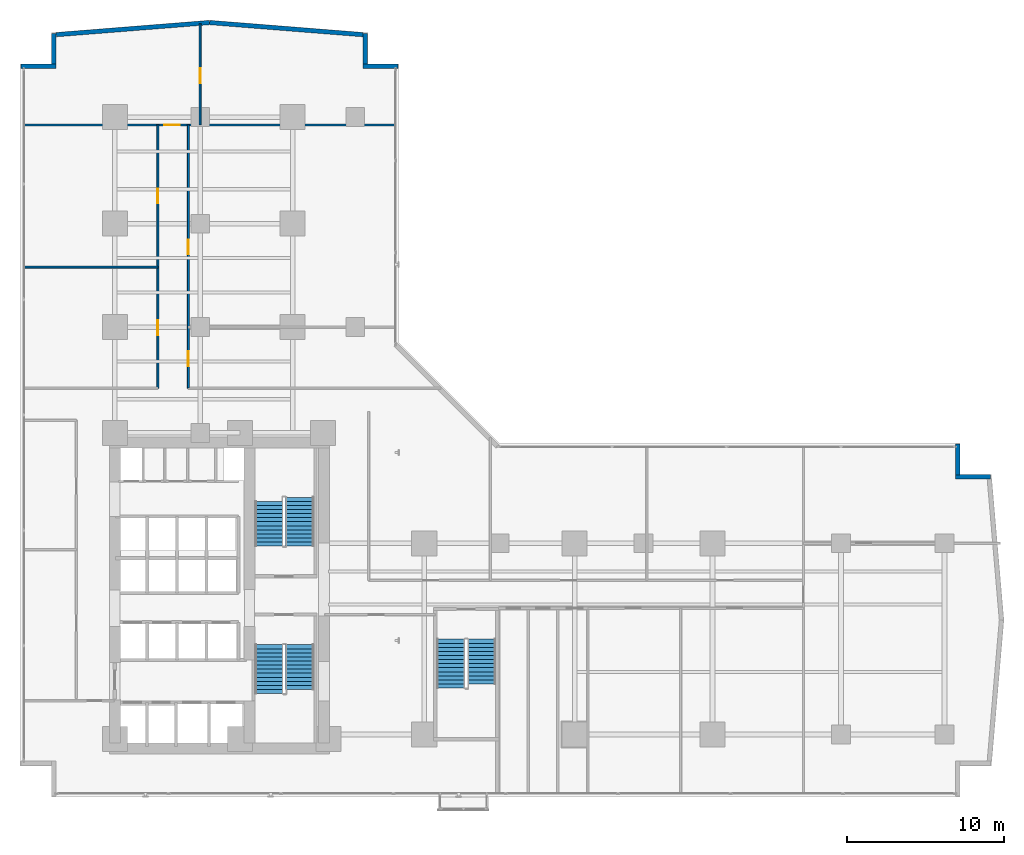
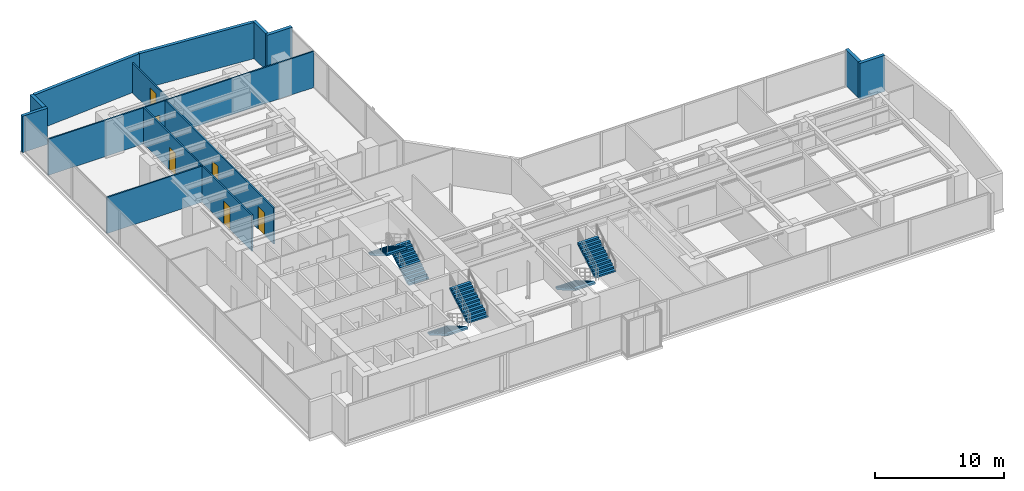
# One storey, part 24 of 28: 13 walls, 6 doors, 6 stair flights, 6 openings, 3 elements without a shape of their own.
"""IFC4 building model written with IfcOpenShell, lengths in metres."""

from ifc_helpers import new_model, si_unit, direction, frame, frame_2d, origin, place, context, subcontext, project, spatial, polyline, rectangle, outline, extrude, material, layer, layer_set, type_object, element, fill, aggregate, save


model = new_model("IFC4")

# Units and contexts
model_context = context("Model", 3, precision=1e-05, world=origin(), true_north=direction((0.0, 1.0)))
body_context = subcontext(model_context, "Body", "Model", "MODEL_VIEW")
ifc_project = project(units=[si_unit("LENGTHUNIT", "METRE"), si_unit("AREAUNIT", "SQUARE_METRE"), si_unit("VOLUMEUNIT", "CUBIC_METRE"), si_unit("PLANEANGLEUNIT", "RADIAN"), si_unit("MASSUNIT", "GRAM", prefix="KILO")], contexts=[model_context])

# Site, building, storey
site_placement = place(None, origin())
site = spatial("IfcSite", under=ifc_project, at=site_placement, CompositionType="ELEMENT")
building_placement = place(site_placement, origin())
building = spatial("IfcBuilding", under=site, at=building_placement, Name="Kolvaren Waterfront Exchange", CompositionType="ELEMENT")
storey_placement = place(building_placement, frame((0.0, 0.0, 79.0)))
storey = spatial("IfcBuildingStorey", under=building, at=storey_placement, Name="L20", CompositionType="ELEMENT", Elevation=79.0)

# Walls
ifc_material_1 = material(Name="Precast concrete C40/50", Category="concrete")
ifc_layer_1 = layer(ifc_material_1, 0.280029296875, Name="Precast concrete C40/50")
ifc_layer_set_1 = layer_set([ifc_layer_1], Name="Precast concrete C40/50")
wall_type_1 = type_object("IfcWallType", Name="ARC-EXT-TERR-280", PredefinedType="SOLIDWALL", material=ifc_layer_set_1)
wall_1_placement = place(storey_placement, frame((61.239990234375, 21.764892578125, 0.0), z_axis=(0.0, 0.0, 1.0), x_axis=(0.0, 1.0, 0.0)))
element("IfcWall", 1, at=wall_1_placement, inside=storey, type_object=wall_type_1, Name="L20 notched corner spandrel pier ENE-A", PredefinedType="SOLIDWALL", context=body_context, shape_type="SweptSolid", body=[
    extrude(rectangle(XDim=1.97509765625, YDim=0.280029296875, at=frame_2d((0.987548828125, 0.0))), origin(), (0.0, 0.0, 1.0), 3.419921875),
])
for number, where, z_axis, x_axis, name in (
    (2, (61.10009765625, 21.639892578125, 0.0), (0.0, 0.0, 1.0), (1.0, 0.0, 0.0), "L20 notched corner spandrel pier ENE-B"),
    (3, (23.300048828125, 47.840087890625, 0.0), (0.0, 0.0, 1.0), (1.0, 0.0, 0.0), "L20 notched corner spandrel pier NNE-A"),
):
    element("IfcWall", number, at=place(storey_placement, frame(where, z_axis=z_axis, x_axis=x_axis)), inside=storey, type_object=wall_type_1, Name=name, PredefinedType="SOLIDWALL", context=body_context, shape_type="SweptSolid", body=[
        extrude(rectangle(XDim=2.239990234375, YDim=0.280029296875, at=frame_2d((1.1201171875, 0.0))), origin(), (0.0, 0.0, 1.0), 3.419921875),
    ])
wall_2_placement = place(storey_placement, frame((23.43994140625, 47.97998046875, 0.0), z_axis=(0.0, 0.0, 1.0), x_axis=(0.0, 1.0, 0.0)))
element("IfcWall", 4, at=wall_2_placement, inside=storey, type_object=wall_type_1, Name="L20 notched corner spandrel pier NNE-B", PredefinedType="SOLIDWALL", context=body_context, shape_type="SweptSolid", body=[
    extrude(rectangle(XDim=1.9599609375, YDim=0.280029296875, at=frame_2d((0.97998046875, 0.0))), origin(), (0.0, 0.0, 1.0), 3.419921875),
])
wall_3_placement = place(storey_placement, frame((1.4599609375, 47.840087890625, 0.0), z_axis=(0.0, 0.0, 1.0), x_axis=(1.0, 0.0, 0.0)))
element("IfcWall", 5, at=wall_3_placement, inside=storey, type_object=wall_type_1, Name="L20 notched corner spandrel pier NW-A", PredefinedType="SOLIDWALL", context=body_context, shape_type="SweptSolid", body=[
    extrude(rectangle(XDim=2.239990234375, YDim=0.280029296875, at=frame_2d((1.1201171875, 0.0))), origin(), (0.0, 0.0, 1.0), 3.419921875),
])
wall_4_placement = place(storey_placement, frame((3.56005859375, 47.97998046875, 0.0), z_axis=(0.0, 0.0, 1.0), x_axis=(0.0, 1.0, 0.0)))
element("IfcWall", 6, at=wall_4_placement, inside=storey, type_object=wall_type_1, Name="L20 notched corner spandrel pier NW-B", PredefinedType="SOLIDWALL", context=body_context, shape_type="SweptSolid", body=[
    extrude(rectangle(XDim=1.9599609375, YDim=0.280029296875, at=frame_2d((0.97998046875, 0.0))), origin(), (0.0, 0.0, 1.0), 3.419921875),
])
for number, where, z_axis, x_axis, name in (
    (7, (23.288330078125, 49.8642578125, 0.0), (0.0, 0.0, 1.0), (-0.996878337682, 0.078953023125, 0.0), "L20 north prow faceted facade wall 1"),
    (8, (13.49267578125, 50.638916015625, 0.0), (0.0, 0.0, 1.0), (-0.996878337682, -0.078953023125, 0.0), "L20 north prow faceted facade wall 2"),
):
    element("IfcWall", number, at=place(storey_placement, frame(where, z_axis=z_axis, x_axis=x_axis)), inside=storey, type_object=wall_type_1, Name=name, PredefinedType="SOLIDWALL", context=body_context, shape_type="SweptSolid", body=[
        extrude(rectangle(XDim=9.8115234375, YDim=0.280029296875, at=frame_2d((4.90576171875, 0.0))), origin(), (0.0, 0.0, 1.0), 3.419921875),
    ])

# Wall, openings, doors
ifc_material_2 = material(Name="Acoustic gypsum steel stud", Category="steel")
ifc_layer_2 = layer(ifc_material_2, 0.125, Name="Acoustic gypsum steel stud")
ifc_layer_set_2 = layer_set([ifc_layer_2], Name="Acoustic gypsum steel stud")
wall_type_2 = type_object("IfcWallType", Name="ARC-PART-125", PredefinedType="PARTITIONING", material=ifc_layer_set_2)
wall_5_placement = place(storey_placement, frame((10.199951171875, 27.300048828125, 0.0), z_axis=(0.0, 0.0, 1.0), x_axis=(0.0, 1.0, 0.0)))
wall_5 = element("IfcWall", 9, at=wall_5_placement, inside=storey, type_object=wall_type_2, Name="L20 interior wall PW-L20-NW-CORR", PredefinedType="PARTITIONING", context=body_context, shape_type="SweptSolid", body=[
    extrude(rectangle(XDim=16.800048828125, YDim=0.125, at=frame_2d((8.39990234375, 0.0))), origin(), (0.0, 0.0, 1.0), 3.419921875),
])
opening_1_placement = place(wall_5_placement, frame((3.389892578125, 0.0, 0.0)))
opening_1 = element("IfcOpeningElement", 10, at=opening_1_placement, cuts=wall_5, Name="Opening D02", PredefinedType="OPENING", context=body_context, shape_type="SweptSolid", body=[
    extrude(rectangle(XDim=0.949951171875, YDim=2.14990234375, at=frame_2d((0.47509765625, 1.074951171875))), frame((0.0, 0.072509765625, 0.0), z_axis=(0.0, -1.0, 0.0), x_axis=(1.0, 0.0, 0.0)), (0.0, 0.0, 1.0), 0.14501953125),
])
opening_2_placement = place(wall_5_placement, frame((11.7900390625, 0.0, 0.0)))
opening_2 = element("IfcOpeningElement", 11, at=opening_2_placement, cuts=wall_5, Name="Opening D02", PredefinedType="OPENING", context=body_context, shape_type="SweptSolid", body=[
    extrude(rectangle(XDim=0.949951171875, YDim=2.14990234375, at=frame_2d((0.47509765625, 1.074951171875))), frame((0.0, 0.072509765625, 0.0), z_axis=(0.0, -1.0, 0.0), x_axis=(1.0, 0.0, 0.0)), (0.0, 0.0, 1.0), 0.14501953125),
])
ifc_material_3 = material(Name="Oak veneer acoustic timber", Category="wood")
door_type_1 = type_object("IfcDoorType", Name="ARC-DR-950", OperationType="NOTDEFINED", PredefinedType="DOOR", material=ifc_material_3)
door_1_placement = place(opening_1_placement, origin())
door_1 = element("IfcDoor", 12, at=door_1_placement, inside=storey, type_object=door_type_1, Name="L20 door DR-L20-NW-D-1 (D02)", OperationType="SINGLE_SWING_LEFT", OverallHeight=2.14990234375, OverallWidth=0.949951171875, PredefinedType="DOOR", context=body_context, shape_type="SweptSolid", body=[
    extrude(rectangle(XDim=0.949951171875, YDim=2.14990234375, at=frame_2d((0.47509765625, 1.074951171875))), frame((0.0, 0.02490234375, 0.0), z_axis=(0.0, -1.0, 0.0), x_axis=(1.0, 0.0, 0.0)), (0.0, 0.0, 1.0), 0.050048828125),
])
fill(opening_1, door_1)
door_2_placement = place(opening_2_placement, origin())
door_2 = element("IfcDoor", 13, at=door_2_placement, inside=storey, type_object=door_type_1, Name="L20 door DR-L20-NW-D-2 (D02)", OperationType="SINGLE_SWING_RIGHT", OverallHeight=2.14990234375, OverallWidth=0.949951171875, PredefinedType="DOOR", context=body_context, shape_type="SweptSolid", body=[
    extrude(rectangle(XDim=0.949951171875, YDim=2.14990234375, at=frame_2d((0.47509765625, 1.074951171875))), frame((0.0, 0.02490234375, 0.0), z_axis=(0.0, -1.0, 0.0), x_axis=(1.0, 0.0, 0.0)), (0.0, 0.0, 1.0), 0.050048828125),
])
fill(opening_2, door_2)

# Wall
wall_6_placement = place(storey_placement, frame((1.639892578125, 35.030029296875, 0.0), z_axis=(0.0, 0.0, 1.0), x_axis=(1.0, 0.0, 0.0)))
element("IfcWall", 14, at=wall_6_placement, inside=storey, type_object=wall_type_2, Name="L20 interior wall PW-L20-NW-DIV-1", PredefinedType="PARTITIONING", context=body_context, shape_type="SweptSolid", body=[
    extrude(rectangle(XDim=8.56005859375, YDim=0.125, at=frame_2d((4.280029296875, 0.0))), origin(), (0.0, 0.0, 1.0), 3.419921875),
])

# Wall, opening, door
wall_7_placement = place(storey_placement, frame((1.639892578125, 44.10009765625, 0.0), z_axis=(0.0, 0.0, 1.0), x_axis=(1.0, 0.0, 0.0)))
wall_7 = element("IfcWall", 15, at=wall_7_placement, inside=storey, type_object=wall_type_2, Name="L20 interior wall PW-L20-NTIP-S", PredefinedType="PARTITIONING", context=body_context, shape_type="SweptSolid", body=[
    extrude(rectangle(XDim=23.72021484375, YDim=0.125, at=frame_2d((11.860107421875, 0.0))), origin(), (0.0, 0.0, 1.0), 3.419921875),
])
opening_3_placement = place(wall_7_placement, frame((8.9599609375, 0.0, 0.0)))
opening_3 = element("IfcOpeningElement", 16, at=opening_3_placement, cuts=wall_7, Name="Opening D03", PredefinedType="OPENING", context=body_context, shape_type="SweptSolid", body=[
    extrude(rectangle(XDim=1.0, YDim=2.199951171875, at=frame_2d((0.5, 1.10009765625))), frame((0.0, 0.072509765625, 0.0), z_axis=(0.0, -1.0, 0.0), x_axis=(1.0, 0.0, 0.0)), (0.0, 0.0, 1.0), 0.14501953125),
])
ifc_material_4 = material(Name="Oak veneer accessible timber", Category="wood")
door_type_2 = type_object("IfcDoorType", Name="ARC-DR-1000", OperationType="NOTDEFINED", PredefinedType="DOOR", material=ifc_material_4)
door_3_placement = place(opening_3_placement, origin())
door_3 = element("IfcDoor", 17, at=door_3_placement, inside=storey, type_object=door_type_2, Name="L20 door DR-L20-NTIPW-D (D03)", OperationType="SINGLE_SWING_LEFT", OverallHeight=2.199951171875, OverallWidth=1.0, PredefinedType="DOOR", context=body_context, shape_type="SweptSolid", body=[
    extrude(rectangle(XDim=1.0, YDim=2.199951171875, at=frame_2d((0.5, 1.10009765625))), frame((0.0, 0.02490234375, 0.0), z_axis=(0.0, -1.0, 0.0), x_axis=(1.0, 0.0, 0.0)), (0.0, 0.0, 1.0), 0.050048828125),
])
fill(opening_3, door_3)

wall_8_placement = place(storey_placement, frame((12.89990234375, 44.10009765625, 0.0), z_axis=(0.0, 0.0, 1.0), x_axis=(0.0, 1.0, 0.0)))
wall_8 = element("IfcWall", 18, at=wall_8_placement, inside=storey, type_object=wall_type_2, Name="L20 interior wall PW-L20-NTIP-DIV", PredefinedType="PARTITIONING", context=body_context, shape_type="SweptSolid", body=[
    extrude(rectangle(XDim=6.4599609375, YDim=0.125, at=frame_2d((3.22998046875, 0.0))), origin(), (0.0, 0.0, 1.0), 2.820068359375),
])
opening_4_placement = place(wall_8_placement, frame((2.677490234375, 0.0, 0.0)))
opening_4 = element("IfcOpeningElement", 19, at=opening_4_placement, cuts=wall_8, Name="Opening D02", PredefinedType="OPENING", context=body_context, shape_type="SweptSolid", body=[
    extrude(rectangle(XDim=0.949951171875, YDim=2.14990234375, at=frame_2d((0.47509765625, 1.074951171875))), frame((0.0, 0.072509765625, 0.0), z_axis=(0.0, -1.0, 0.0), x_axis=(1.0, 0.0, 0.0)), (0.0, 0.0, 1.0), 0.14501953125),
])
door_4_placement = place(opening_4_placement, origin())
door_4 = element("IfcDoor", 20, at=door_4_placement, inside=storey, type_object=door_type_1, Name="L20 door DR-L20-NTIPE-D (D02)", OperationType="SINGLE_SWING_RIGHT", OverallHeight=2.14990234375, OverallWidth=0.949951171875, PredefinedType="DOOR", context=body_context, shape_type="SweptSolid", body=[
    extrude(rectangle(XDim=0.949951171875, YDim=2.14990234375, at=frame_2d((0.47509765625, 1.074951171875))), frame((0.0, 0.02490234375, 0.0), z_axis=(0.0, -1.0, 0.0), x_axis=(1.0, 0.0, 0.0)), (0.0, 0.0, 1.0), 0.050048828125),
])
fill(opening_4, door_4)

# Wall, openings, doors
wall_9_placement = place(storey_placement, frame((12.139892578125, 27.300048828125, 0.0), z_axis=(0.0, 0.0, 1.0), x_axis=(0.0, 1.0, 0.0)))
wall_9 = element("IfcWall", 21, at=wall_9_placement, inside=storey, type_object=wall_type_2, Name="L20 interior wall PW-L20-NE-CORR", PredefinedType="PARTITIONING", context=body_context, shape_type="SweptSolid", body=[
    extrude(rectangle(XDim=16.800048828125, YDim=0.125, at=frame_2d((8.39990234375, 0.0))), origin(), (0.0, 0.0, 1.0), 3.419921875),
])
opening_5_placement = place(wall_9_placement, frame((1.4033203125, 0.0, 0.0)))
opening_5 = element("IfcOpeningElement", 22, at=opening_5_placement, cuts=wall_9, Name="Opening D02", PredefinedType="OPENING", context=body_context, shape_type="SweptSolid", body=[
    extrude(rectangle(XDim=0.949951171875, YDim=2.14990234375, at=frame_2d((0.47509765625, 1.074951171875))), frame((0.0, 0.072509765625, 0.0), z_axis=(0.0, -1.0, 0.0), x_axis=(1.0, 0.0, 0.0)), (0.0, 0.0, 1.0), 0.14501953125),
])
opening_6_placement = place(wall_9_placement, frame((8.5341796875, 0.0, 0.0)))
opening_6 = element("IfcOpeningElement", 23, at=opening_6_placement, cuts=wall_9, Name="Opening D02", PredefinedType="OPENING", context=body_context, shape_type="SweptSolid", body=[
    extrude(rectangle(XDim=0.949951171875, YDim=2.14990234375, at=frame_2d((0.47509765625, 1.074951171875))), frame((0.0, 0.072509765625, 0.0), z_axis=(0.0, -1.0, 0.0), x_axis=(1.0, 0.0, 0.0)), (0.0, 0.0, 1.0), 0.14501953125),
])
door_5_placement = place(opening_5_placement, origin())
door_5 = element("IfcDoor", 24, at=door_5_placement, inside=storey, type_object=door_type_1, Name="L20 door DR-L20-NE-D-1 (D02)", OperationType="SINGLE_SWING_LEFT", OverallHeight=2.14990234375, OverallWidth=0.949951171875, PredefinedType="DOOR", context=body_context, shape_type="SweptSolid", body=[
    extrude(rectangle(XDim=0.949951171875, YDim=2.14990234375, at=frame_2d((0.47509765625, 1.074951171875))), frame((0.0, 0.02490234375, 0.0), z_axis=(0.0, -1.0, 0.0), x_axis=(1.0, 0.0, 0.0)), (0.0, 0.0, 1.0), 0.050048828125),
])
fill(opening_5, door_5)
door_6_placement = place(opening_6_placement, origin())
door_6 = element("IfcDoor", 25, at=door_6_placement, inside=storey, type_object=door_type_1, Name="L20 door DR-L20-NE-D-2 (D02)", OperationType="SINGLE_SWING_RIGHT", OverallHeight=2.14990234375, OverallWidth=0.949951171875, PredefinedType="DOOR", context=body_context, shape_type="SweptSolid", body=[
    extrude(rectangle(XDim=0.949951171875, YDim=2.14990234375, at=frame_2d((0.47509765625, 1.074951171875))), frame((0.0, 0.02490234375, 0.0), z_axis=(0.0, -1.0, 0.0), x_axis=(1.0, 0.0, 0.0)), (0.0, 0.0, 1.0), 0.050048828125),
])
fill(opening_6, door_6)

# Stair, stair flights
ifc_material_5 = material(Name="Concrete C40/50", Category="concrete")
stair_type = type_object("IfcStairType", Name="ARC-STAIR-3800", PredefinedType="HALF_TURN_STAIR", material=ifc_material_5)
stair_1_placement = place(storey_placement, origin())
stair_1 = element("IfcStair", 26, at=stair_1_placement, inside=storey, type_object=stair_type, Name="L20 Smoke-proof exit stair ST1", PredefinedType="HALF_TURN_STAIR")
stair_flight_type = type_object("IfcStairFlightType", Name="ARC-FLIGHT-3800", PredefinedType="STRAIGHT", material=ifc_material_5)
stair_flight_1_placement = place(storey_placement, frame((17.300048828125, 10.929931640625, 0.0), z_axis=(0.0, 0.0, 1.0), x_axis=(0.0, -1.0, 0.0)))
stair_flight_1 = element("IfcStairFlight", 27, at=stair_flight_1_placement, type_object=stair_flight_type, Name="ST1 flight 1", NumberOfRisers=13, NumberOfTreads=12, PredefinedType="STRAIGHT", RiserHeight=0.152, TreadLength=0.26, context=body_context, shape_type="SweptSolid", body=[
    extrude(outline(polyline([(0.0, 0.0), (0.0, 0.152099609375), (0.260009765625, 0.152099609375), (0.260009765625, 0.303955078125), (0.52001953125, 0.303955078125), (0.52001953125, 0.4560546875), (0.780029296875, 0.4560546875), (0.780029296875, 0.60791015625), (1.0400390625, 0.60791015625), (1.0400390625, 0.760009765625), (1.300048828125, 0.760009765625), (1.300048828125, 0.912109375), (1.56005859375, 0.912109375), (1.56005859375, 1.06396484375), (1.820068359375, 1.06396484375), (1.820068359375, 1.216064453125), (2.080078125, 1.216064453125), (2.080078125, 1.367919921875), (2.340087890625, 1.367919921875), (2.340087890625, 1.52001953125), (2.60009765625, 1.52001953125), (2.60009765625, 1.672119140625), (2.860107421875, 1.672119140625), (2.860107421875, 1.823974609375), (3.1201171875, 1.823974609375), (3.1201171875, 1.97607421875), (3.1201171875, 1.650390625), (0.297119140625, 0.0), (0.0, 0.0)])), frame((0.0, 0.89990234375, 0.0), z_axis=(0.0, -1.0, 0.0), x_axis=(1.0, 0.0, 0.0)), (0.0, 0.0, 1.0), 1.800048828125),
])
stair_flight_2_placement = place(storey_placement, frame((19.260009765625, 8.070068359375, 1.97607421875), z_axis=(0.0, 0.0, 1.0), x_axis=(0.0, 1.0, 0.0)))
stair_flight_2 = element("IfcStairFlight", 28, at=stair_flight_2_placement, type_object=stair_flight_type, Name="ST1 flight 2", NumberOfRisers=12, NumberOfTreads=11, PredefinedType="STRAIGHT", RiserHeight=0.152, TreadLength=0.26, context=body_context, shape_type="SweptSolid", body=[
    extrude(outline(polyline([(0.0, 0.0), (0.0, 0.152099609375), (0.260009765625, 0.152099609375), (0.260009765625, 0.303955078125), (0.52001953125, 0.303955078125), (0.52001953125, 0.4560546875), (0.780029296875, 0.4560546875), (0.780029296875, 0.60791015625), (1.0400390625, 0.60791015625), (1.0400390625, 0.760009765625), (1.300048828125, 0.760009765625), (1.300048828125, 0.912109375), (1.56005859375, 0.912109375), (1.56005859375, 1.06396484375), (1.820068359375, 1.06396484375), (1.820068359375, 1.216064453125), (2.080078125, 1.216064453125), (2.080078125, 1.367919921875), (2.340087890625, 1.367919921875), (2.340087890625, 1.52001953125), (2.60009765625, 1.52001953125), (2.60009765625, 1.672119140625), (2.860107421875, 1.672119140625), (2.860107421875, 1.823974609375), (2.860107421875, 1.498291015625), (0.297119140625, 0.0), (0.0, 0.0)])), frame((0.0, 0.89990234375, 0.0), z_axis=(0.0, -1.0, 0.0), x_axis=(1.0, 0.0, 0.0)), (0.0, 0.0, 1.0), 1.800048828125),
])
aggregate(stair_1, [stair_flight_1, stair_flight_2])

stair_2_placement = place(storey_placement, origin())
stair_2 = element("IfcStair", 29, at=stair_2_placement, inside=storey, type_object=stair_type, Name="L20 Smoke-proof exit stair ST2", PredefinedType="HALF_TURN_STAIR")
stair_flight_3_placement = place(storey_placement, frame((19.260009765625, 17.219970703125, 0.0), z_axis=(0.0, 0.0, 1.0), x_axis=(0.0, 1.0, 0.0)))
stair_flight_3 = element("IfcStairFlight", 30, at=stair_flight_3_placement, type_object=stair_flight_type, Name="ST2 flight 1", NumberOfRisers=13, NumberOfTreads=12, PredefinedType="STRAIGHT", RiserHeight=0.152, TreadLength=0.26, context=body_context, shape_type="SweptSolid", body=[
    extrude(outline(polyline([(0.0, 0.0), (0.0, 0.152099609375), (0.260009765625, 0.152099609375), (0.260009765625, 0.303955078125), (0.52001953125, 0.303955078125), (0.52001953125, 0.4560546875), (0.780029296875, 0.4560546875), (0.780029296875, 0.60791015625), (1.0400390625, 0.60791015625), (1.0400390625, 0.760009765625), (1.300048828125, 0.760009765625), (1.300048828125, 0.912109375), (1.56005859375, 0.912109375), (1.56005859375, 1.06396484375), (1.820068359375, 1.06396484375), (1.820068359375, 1.216064453125), (2.080078125, 1.216064453125), (2.080078125, 1.367919921875), (2.340087890625, 1.367919921875), (2.340087890625, 1.52001953125), (2.60009765625, 1.52001953125), (2.60009765625, 1.672119140625), (2.860107421875, 1.672119140625), (2.860107421875, 1.823974609375), (3.1201171875, 1.823974609375), (3.1201171875, 1.97607421875), (3.1201171875, 1.650390625), (0.297119140625, 0.0), (0.0, 0.0)])), frame((0.0, 0.89990234375, 0.0), z_axis=(0.0, -1.0, 0.0), x_axis=(1.0, 0.0, 0.0)), (0.0, 0.0, 1.0), 1.800048828125),
])
stair_flight_4_placement = place(storey_placement, frame((17.300048828125, 20.080078125, 1.97607421875), z_axis=(0.0, 0.0, 1.0), x_axis=(0.0, -1.0, 0.0)))
stair_flight_4 = element("IfcStairFlight", 31, at=stair_flight_4_placement, type_object=stair_flight_type, Name="ST2 flight 2", NumberOfRisers=12, NumberOfTreads=11, PredefinedType="STRAIGHT", RiserHeight=0.152, TreadLength=0.26, context=body_context, shape_type="SweptSolid", body=[
    extrude(outline(polyline([(0.0, 0.0), (0.0, 0.152099609375), (0.260009765625, 0.152099609375), (0.260009765625, 0.303955078125), (0.52001953125, 0.303955078125), (0.52001953125, 0.4560546875), (0.780029296875, 0.4560546875), (0.780029296875, 0.60791015625), (1.0400390625, 0.60791015625), (1.0400390625, 0.760009765625), (1.300048828125, 0.760009765625), (1.300048828125, 0.912109375), (1.56005859375, 0.912109375), (1.56005859375, 1.06396484375), (1.820068359375, 1.06396484375), (1.820068359375, 1.216064453125), (2.080078125, 1.216064453125), (2.080078125, 1.367919921875), (2.340087890625, 1.367919921875), (2.340087890625, 1.52001953125), (2.60009765625, 1.52001953125), (2.60009765625, 1.672119140625), (2.860107421875, 1.672119140625), (2.860107421875, 1.823974609375), (2.860107421875, 1.498291015625), (0.297119140625, 0.0), (0.0, 0.0)])), frame((0.0, 0.89990234375, 0.0), z_axis=(0.0, -1.0, 0.0), x_axis=(1.0, 0.0, 0.0)), (0.0, 0.0, 1.0), 1.800048828125),
])
aggregate(stair_2, [stair_flight_3, stair_flight_4])

stair_3_placement = place(storey_placement, origin())
stair_3 = element("IfcStair", 32, at=stair_3_placement, inside=storey, type_object=stair_type, Name="L20 Exit stair ST3", PredefinedType="HALF_TURN_STAIR")
stair_flight_5_placement = place(storey_placement, frame((28.89990234375, 11.280029296875, 0.0), z_axis=(0.0, 0.0, 1.0), x_axis=(0.0, -1.0, 0.0)))
stair_flight_5 = element("IfcStairFlight", 33, at=stair_flight_5_placement, type_object=stair_flight_type, Name="ST3 flight 1", NumberOfRisers=13, NumberOfTreads=12, PredefinedType="STRAIGHT", RiserHeight=0.152, TreadLength=0.26, context=body_context, shape_type="SweptSolid", body=[
    extrude(outline(polyline([(0.0, 0.0), (0.0, 0.152099609375), (0.260009765625, 0.152099609375), (0.260009765625, 0.303955078125), (0.52001953125, 0.303955078125), (0.52001953125, 0.4560546875), (0.780029296875, 0.4560546875), (0.780029296875, 0.60791015625), (1.0400390625, 0.60791015625), (1.0400390625, 0.760009765625), (1.300048828125, 0.760009765625), (1.300048828125, 0.912109375), (1.56005859375, 0.912109375), (1.56005859375, 1.06396484375), (1.820068359375, 1.06396484375), (1.820068359375, 1.216064453125), (2.080078125, 1.216064453125), (2.080078125, 1.367919921875), (2.340087890625, 1.367919921875), (2.340087890625, 1.52001953125), (2.60009765625, 1.52001953125), (2.60009765625, 1.672119140625), (2.860107421875, 1.672119140625), (2.860107421875, 1.823974609375), (3.1201171875, 1.823974609375), (3.1201171875, 1.97607421875), (3.1201171875, 1.650390625), (0.297119140625, 0.0), (0.0, 0.0)])), frame((0.0, 0.89990234375, 0.0), z_axis=(0.0, -1.0, 0.0), x_axis=(1.0, 0.0, 0.0)), (0.0, 0.0, 1.0), 1.800048828125),
])
stair_flight_6_placement = place(storey_placement, frame((30.860107421875, 8.419921875, 1.97607421875), z_axis=(0.0, 0.0, 1.0), x_axis=(0.0, 1.0, 0.0)))
stair_flight_6 = element("IfcStairFlight", 34, at=stair_flight_6_placement, type_object=stair_flight_type, Name="ST3 flight 2", NumberOfRisers=12, NumberOfTreads=11, PredefinedType="STRAIGHT", RiserHeight=0.152, TreadLength=0.26, context=body_context, shape_type="SweptSolid", body=[
    extrude(outline(polyline([(0.0, 0.0), (0.0, 0.152099609375), (0.260009765625, 0.152099609375), (0.260009765625, 0.303955078125), (0.52001953125, 0.303955078125), (0.52001953125, 0.4560546875), (0.780029296875, 0.4560546875), (0.780029296875, 0.60791015625), (1.0400390625, 0.60791015625), (1.0400390625, 0.760009765625), (1.300048828125, 0.760009765625), (1.300048828125, 0.912109375), (1.56005859375, 0.912109375), (1.56005859375, 1.06396484375), (1.820068359375, 1.06396484375), (1.820068359375, 1.216064453125), (2.080078125, 1.216064453125), (2.080078125, 1.367919921875), (2.340087890625, 1.367919921875), (2.340087890625, 1.52001953125), (2.60009765625, 1.52001953125), (2.60009765625, 1.672119140625), (2.860107421875, 1.672119140625), (2.860107421875, 1.823974609375), (2.860107421875, 1.498291015625), (0.297119140625, 0.0), (0.0, 0.0)])), frame((0.0, 0.89990234375, 0.0), z_axis=(0.0, -1.0, 0.0), x_axis=(1.0, 0.0, 0.0)), (0.0, 0.0, 1.0), 1.800048828125),
])
aggregate(stair_3, [stair_flight_5, stair_flight_6])

save(model, "model.ifc")
